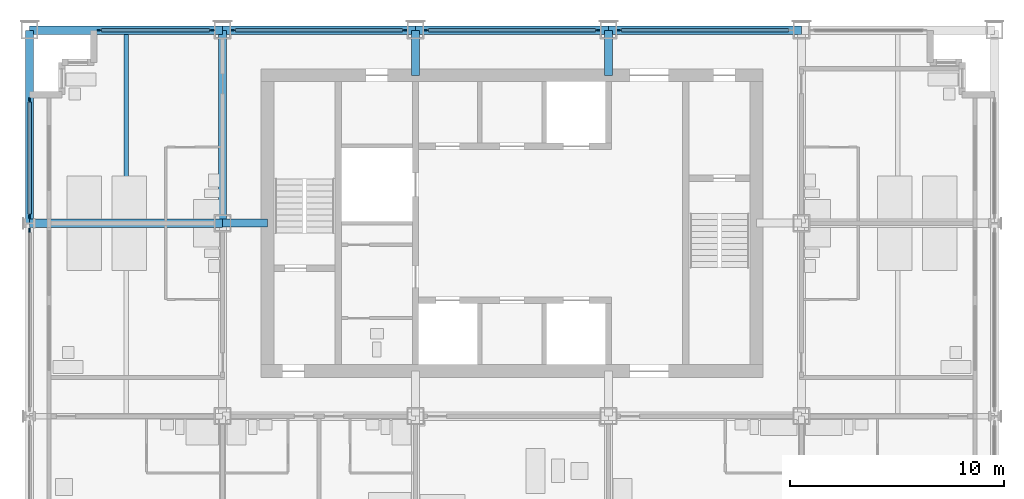
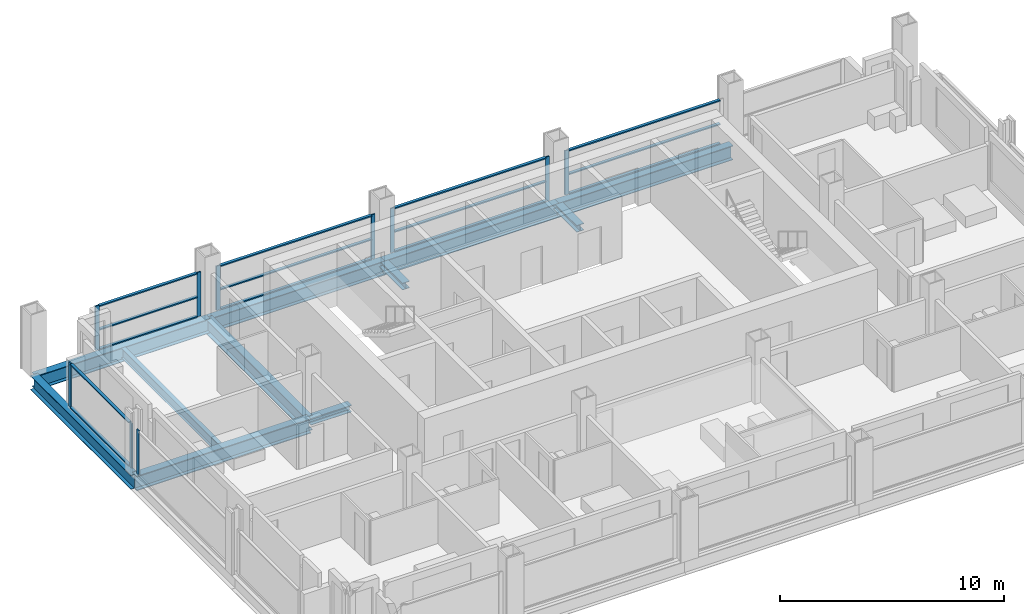
# One storey, part 4 of 13: 27 members, 8 beams, 6 elements without a shape of their own.
"""IFC4 building model written with IfcOpenShell, lengths in metres."""

from ifc_helpers import new_model, si_unit, direction, frame, origin, origin_2d, place, context, subcontext, project, spatial, rectangle, i_section, extrude, material, material_profile, profile_set, type_object, element, aggregate, save


model = new_model("IFC4")

# Units and contexts
model_context = context("Model", 3, precision=1e-05, world=origin(), true_north=direction((0.0, 1.0)))
body_context = subcontext(model_context, "Body", "Model", "MODEL_VIEW")
ifc_project = project(units=[si_unit("LENGTHUNIT", "METRE"), si_unit("AREAUNIT", "SQUARE_METRE"), si_unit("VOLUMEUNIT", "CUBIC_METRE"), si_unit("PLANEANGLEUNIT", "RADIAN"), si_unit("MASSUNIT", "GRAM", prefix="KILO")], contexts=[model_context])

# Site, building, storey
site_placement = place(None, origin())
site = spatial("IfcSite", under=ifc_project, at=site_placement, CompositionType="ELEMENT")
building_placement = place(site_placement, origin())
building = spatial("IfcBuilding", under=site, at=building_placement, Name="Loomwork Tower", CompositionType="ELEMENT")
storey_placement = place(building_placement, frame((0.0, 0.0, 191.0)))
storey = spatial("IfcBuildingStorey", under=building, at=storey_placement, Name="L52", CompositionType="ELEMENT", Elevation=191.0)

# Beams
ifc_material_1 = material(Name="Steel ASTM A992", Category="steel")
ifc_material_profile_1 = material_profile(ifc_material_1, i_section(OverallWidth=0.383544921875, OverallDepth=0.794921875, WebThickness=0.02099609375, FlangeThickness=0.0380859375, at=origin_2d()), Name="W30x235")
ifc_profile_set_1 = profile_set([ifc_material_profile_1], Name="Steel ASTM A992")
beam_type_1 = type_object("IfcBeamType", Name="CORE FLANK GIRDER W30x235", PredefinedType="BEAM", material=ifc_profile_set_1)
for number, where, z_axis, x_axis, name in (
    (1, (0.0, 18.0, -0.597412109375), (1.0, 0.0, 0.0), (0.0, 1.0, 0.0), "Core Flank Girder F/2-F/3 L52"),
    (2, (9.0, 18.0, -0.597412109375), (0.0, 1.0, 0.0), (-1.0, 0.0, 0.0), "Core Flank Girder F/3-G/3 L52"),
):
    element("IfcBeam", number, at=place(storey_placement, frame(where, z_axis=z_axis, x_axis=x_axis)), inside=storey, type_object=beam_type_1, Name=name, PredefinedType="BEAM", context=body_context, shape_type="SweptSolid", body=[
        extrude(i_section(OverallWidth=0.383544921875, OverallDepth=0.794921875, WebThickness=0.02099609375, FlangeThickness=0.0380859375, at=origin_2d()), origin(), (0.0, 0.0, 1.0), 9.0),
    ])

# Members
ifc_material_2 = material(Name="Steel ASTM A992", Category="steel")
ifc_material_profile_2 = material_profile(ifc_material_2, i_section(OverallWidth=0.373291015625, OverallDepth=0.373291015625, WebThickness=0.016357421875, FlangeThickness=0.026123046875, at=origin_2d()), Name="W14x132")
ifc_profile_set_2 = profile_set([ifc_material_profile_2], Name="Steel ASTM A992")
member_type_1 = type_object("IfcMemberType", Name="CORE LINK STRUT W14x132", PredefinedType="STRUT", material=ifc_profile_set_2)
for number, where, z_axis, x_axis, name in (
    (3, (27.0, 27.0, -0.38671875), (0.0, -1.0, 0.0), (1.0, 0.0, 0.0), "Core link strut G/5-27.000,24.900 L52"),
    (4, (18.0, 27.0, -0.38671875), (0.0, -1.0, 0.0), (1.0, 0.0, 0.0), "Core link strut G/4-18.000,24.900 L52"),
    (5, (9.0, 18.0, -0.38671875), (1.0, 0.0, 0.0), (0.0, 1.0, 0.0), "Core link strut F/3-11.100,18.000 L52"),
):
    element("IfcMember", number, at=place(storey_placement, frame(where, z_axis=z_axis, x_axis=x_axis)), inside=storey, type_object=member_type_1, Name=name, PredefinedType="STRUT", context=body_context, shape_type="SweptSolid", body=[
        extrude(i_section(OverallWidth=0.373291015625, OverallDepth=0.373291015625, WebThickness=0.016357421875, FlangeThickness=0.026123046875, at=origin_2d()), origin(), (0.0, 0.0, 1.0), 2.10009765625),
    ])

# Beam
ifc_material_3 = material(Name="Steel ASTM A992", Category="steel")
ifc_material_profile_3 = material_profile(ifc_material_3, i_section(OverallWidth=0.2109375, OverallDepth=0.53857421875, WebThickness=0.011474609375, FlangeThickness=0.018798828125, at=origin_2d()), Name="W21x73")
ifc_profile_set_3 = profile_set([ifc_material_profile_3], Name="Steel ASTM A992")
beam_type_2 = type_object("IfcBeamType", Name="FLOOR JOIST W21x73", PredefinedType="JOIST", material=ifc_profile_set_3)
beam_placement = place(storey_placement, frame((4.5, 18.19091796875, -0.46923828125), z_axis=(0.0, 1.0, 0.0), x_axis=(-1.0, 0.0, 0.0)))
element("IfcBeam", 6, at=beam_placement, inside=storey, type_object=beam_type_2, Name="Floor Joist 4.500,18.000-4.500,27.000 L52", PredefinedType="JOIST", context=body_context, shape_type="SweptSolid", body=[
    extrude(i_section(OverallWidth=0.2109375, OverallDepth=0.53857421875, WebThickness=0.011474609375, FlangeThickness=0.018798828125, at=origin_2d()), origin(), (0.0, 0.0, 1.0), 8.619140625),
])

# Curtain wall, member
ifc_material_4 = material(Name="Aluminium curtain wall frame", Category="aluminium")
curtain_wall_type_1 = type_object("IfcCurtainWallType", Name="Outer skin glazing hotel", PredefinedType="NOTDEFINED", material=ifc_material_4)
curtain_wall_1_placement = place(storey_placement, origin())
curtain_wall_1 = element("IfcCurtainWall", 7, at=curtain_wall_1_placement, inside=storey, type_object=curtain_wall_type_1, Name="Outer skin glazing hotel cw/W-9", PredefinedType="NOTDEFINED")
ifc_material_5 = material(Name="Aluminium curtain wall frame", Category="aluminium")
ifc_material_profile_4 = material_profile(ifc_material_5, rectangle(XDim=0.06494140625, YDim=0.199951171875, at=origin_2d()), Name="AL 65x200")
ifc_profile_set_4 = profile_set([ifc_material_profile_4], Name="Aluminium curtain wall frame")
member_type_2 = type_object("IfcMemberType", Name="Outer skin glazing hotel mullion", PredefinedType="MULLION", material=ifc_profile_set_4)
member_1_placement = place(storey_placement, frame((0.0, 17.67529296875, 0.0), z_axis=(0.0, 0.0, 1.0), x_axis=(1.0, 0.0, 0.0)))
member_1 = element("IfcMember", 8, at=member_1_placement, type_object=member_type_2, Name="CW1 mullion 1", PredefinedType="MULLION", context=body_context, shape_type="SweptSolid", body=[
    extrude(rectangle(XDim=0.06494140625, YDim=0.199951171875, at=origin_2d()), origin(), (0.0, 0.0, 1.0), 2.420166015625),
])
aggregate(curtain_wall_1, [member_1])

# Curtain wall, members
curtain_wall_2_placement = place(storey_placement, origin())
curtain_wall_2 = element("IfcCurtainWall", 9, at=curtain_wall_2_placement, inside=storey, type_object=curtain_wall_type_1, Name="Outer skin glazing hotel cw/W-18", PredefinedType="NOTDEFINED")
member_2_placement = place(storey_placement, frame((0.0, 23.75, 0.0), z_axis=(0.0, 0.0, 1.0), x_axis=(1.0, 0.0, 0.0)))
member_2 = element("IfcMember", 10, at=member_2_placement, type_object=member_type_2, Name="CW1 mullion 1", PredefinedType="MULLION", context=body_context, shape_type="SweptSolid", body=[
    extrude(rectangle(XDim=0.06494140625, YDim=0.199951171875, at=origin_2d()), origin(), (0.0, 0.0, 1.0), 2.420166015625),
])
member_3_placement = place(storey_placement, frame((0.0, 18.32470703125, 0.0), z_axis=(0.0, 0.0, 1.0), x_axis=(1.0, 0.0, 0.0)))
member_3 = element("IfcMember", 11, at=member_3_placement, type_object=member_type_2, Name="CW1 mullion 2", PredefinedType="MULLION", context=body_context, shape_type="SweptSolid", body=[
    extrude(rectangle(XDim=0.06494140625, YDim=0.199951171875, at=origin_2d()), origin(), (0.0, 0.0, 1.0), 2.420166015625),
])
ifc_material_6 = material(Name="Aluminium curtain wall frame", Category="aluminium")
ifc_material_profile_5 = material_profile(ifc_material_6, rectangle(XDim=0.14990234375, YDim=0.06494140625, at=origin_2d()), Name="AL 65x150")
ifc_profile_set_5 = profile_set([ifc_material_profile_5], Name="Aluminium curtain wall frame")
member_type_3 = type_object("IfcMemberType", Name="Outer skin glazing hotel transom", PredefinedType="USERDEFINED", material=ifc_profile_set_5)
member_4_placement = place(storey_placement, frame((0.0, 23.64990234375, 0.032470703125), z_axis=(0.0, -1.0, 0.0), x_axis=(1.0, 0.0, 0.0)))
member_4 = element("IfcMember", 12, at=member_4_placement, type_object=member_type_3, Name="CW1 transom 1.1", ObjectType="TRANSOM", PredefinedType="USERDEFINED", context=body_context, shape_type="SweptSolid", body=[
    extrude(rectangle(XDim=0.14990234375, YDim=0.06494140625, at=origin_2d()), origin(), (0.0, 0.0, 1.0), 5.22509765625),
])
member_5_placement = place(storey_placement, frame((0.0, 23.64990234375, 2.3876953125), z_axis=(0.0, -1.0, 0.0), x_axis=(1.0, 0.0, 0.0)))
member_5 = element("IfcMember", 13, at=member_5_placement, type_object=member_type_3, Name="CW1 transom 1.2", ObjectType="TRANSOM", PredefinedType="USERDEFINED", context=body_context, shape_type="SweptSolid", body=[
    extrude(rectangle(XDim=0.14990234375, YDim=0.06494140625, at=origin_2d()), origin(), (0.0, 0.0, 1.0), 5.22509765625),
])
aggregate(curtain_wall_2, [member_2, member_3, member_4, member_5])

# Beams
ifc_material_7 = material(Name="Steel ASTM A992", Category="steel")
ifc_material_profile_6 = material_profile(ifc_material_7, i_section(OverallWidth=0.381103515625, OverallDepth=0.77978515625, WebThickness=0.01806640625, FlangeThickness=0.0302734375, at=origin_2d()), Name="W30x191")
ifc_profile_set_6 = profile_set([ifc_material_profile_6], Name="Steel ASTM A992")
beam_type_3 = type_object("IfcBeamType", Name="SPANDREL GIRDER W30x191", PredefinedType="SPANDREL", material=ifc_profile_set_6)
for number, where, z_axis, x_axis, name in (
    (14, (0.0, 27.0, -0.58984375), (1.0, 0.0, 0.0), (0.0, 1.0, 0.0), "Spandrel Girder G/2-G/3 L52"),
    (15, (9.0, 27.0, -0.58984375), (1.0, 0.0, 0.0), (0.0, 1.0, 0.0), "Spandrel Girder G/3-G/4 L52"),
    (16, (18.0, 27.0, -0.58984375), (1.0, 0.0, 0.0), (0.0, 1.0, 0.0), "Spandrel Girder G/4-G/5 L52"),
    (17, (27.0, 27.0, -0.58984375), (1.0, 0.0, 0.0), (0.0, 1.0, 0.0), "Spandrel Girder G/5-G/6 L52"),
    (18, (0.0, 18.0, -0.58984375), (0.0, 1.0, 0.0), (-1.0, 0.0, 0.0), "Spandrel Girder F/2-G/2 L52"),
):
    element("IfcBeam", number, at=place(storey_placement, frame(where, z_axis=z_axis, x_axis=x_axis)), inside=storey, type_object=beam_type_3, Name=name, PredefinedType="SPANDREL", context=body_context, shape_type="SweptSolid", body=[
        extrude(i_section(OverallWidth=0.381103515625, OverallDepth=0.77978515625, WebThickness=0.01806640625, FlangeThickness=0.0302734375, at=origin_2d()), origin(), (0.0, 0.0, 1.0), 9.0),
    ])

# Curtain wall, members
ifc_material_8 = material(Name="Aluminium curtain wall frame", Category="aluminium")
curtain_wall_type_2 = type_object("IfcCurtainWallType", Name="Single skin glazing corridor", PredefinedType="NOTDEFINED", material=ifc_material_8)
curtain_wall_3_placement = place(storey_placement, origin())
curtain_wall_3 = element("IfcCurtainWall", 19, at=curtain_wall_3_placement, inside=storey, type_object=curtain_wall_type_2, Name="Single skin glazing corridor cw/N-0", PredefinedType="NOTDEFINED")
ifc_material_9 = material(Name="Aluminium curtain wall frame", Category="aluminium")
ifc_material_profile_7 = material_profile(ifc_material_9, rectangle(XDim=0.06494140625, YDim=0.199951171875, at=origin_2d()), Name="AL 65x200")
ifc_profile_set_7 = profile_set([ifc_material_profile_7], Name="Aluminium curtain wall frame")
member_type_4 = type_object("IfcMemberType", Name="Single skin glazing corridor mullion", PredefinedType="MULLION", material=ifc_profile_set_7)
member_6_placement = place(storey_placement, frame((8.5, 27.0, 0.0), z_axis=(0.0, 0.0, 1.0), x_axis=(0.0, -1.0, 0.0)))
member_6 = element("IfcMember", 20, at=member_6_placement, type_object=member_type_4, Name="CW3 mullion 1", PredefinedType="MULLION", context=body_context, shape_type="SweptSolid", body=[
    extrude(rectangle(XDim=0.06494140625, YDim=0.199951171875, at=origin_2d()), origin(), (0.0, 0.0, 1.0), 2.420166015625),
])
member_7_placement = place(storey_placement, frame((3.25, 27.0, 0.0), z_axis=(0.0, 0.0, 1.0), x_axis=(0.0, -1.0, 0.0)))
member_7 = element("IfcMember", 21, at=member_7_placement, type_object=member_type_4, Name="CW3 mullion 2", PredefinedType="MULLION", context=body_context, shape_type="SweptSolid", body=[
    extrude(rectangle(XDim=0.06494140625, YDim=0.199951171875, at=origin_2d()), origin(), (0.0, 0.0, 1.0), 2.420166015625),
])

curtain_wall_4_placement = place(storey_placement, origin())
curtain_wall_4 = element("IfcCurtainWall", 22, at=curtain_wall_4_placement, inside=storey, type_object=curtain_wall_type_2, Name="Single skin glazing corridor cw/N-9", PredefinedType="NOTDEFINED")
member_8_placement = place(storey_placement, frame((17.5, 27.0, 0.0), z_axis=(0.0, 0.0, 1.0), x_axis=(0.0, -1.0, 0.0)))
member_8 = element("IfcMember", 23, at=member_8_placement, type_object=member_type_4, Name="CW3 mullion 1", PredefinedType="MULLION", context=body_context, shape_type="SweptSolid", body=[
    extrude(rectangle(XDim=0.06494140625, YDim=0.199951171875, at=origin_2d()), origin(), (0.0, 0.0, 1.0), 2.420166015625),
])
member_9_placement = place(storey_placement, frame((9.5, 27.0, 0.0), z_axis=(0.0, 0.0, 1.0), x_axis=(0.0, -1.0, 0.0)))
member_9 = element("IfcMember", 24, at=member_9_placement, type_object=member_type_4, Name="CW3 mullion 2", PredefinedType="MULLION", context=body_context, shape_type="SweptSolid", body=[
    extrude(rectangle(XDim=0.06494140625, YDim=0.199951171875, at=origin_2d()), origin(), (0.0, 0.0, 1.0), 2.420166015625),
])

curtain_wall_5_placement = place(storey_placement, origin())
curtain_wall_5 = element("IfcCurtainWall", 25, at=curtain_wall_5_placement, inside=storey, type_object=curtain_wall_type_2, Name="Single skin glazing corridor cw/N-18", PredefinedType="NOTDEFINED")
member_10_placement = place(storey_placement, frame((26.5, 27.0, 0.0), z_axis=(0.0, 0.0, 1.0), x_axis=(0.0, -1.0, 0.0)))
member_10 = element("IfcMember", 26, at=member_10_placement, type_object=member_type_4, Name="CW3 mullion 1", PredefinedType="MULLION", context=body_context, shape_type="SweptSolid", body=[
    extrude(rectangle(XDim=0.06494140625, YDim=0.199951171875, at=origin_2d()), origin(), (0.0, 0.0, 1.0), 2.420166015625),
])
member_11_placement = place(storey_placement, frame((18.5, 27.0, 0.0), z_axis=(0.0, 0.0, 1.0), x_axis=(0.0, -1.0, 0.0)))
member_11 = element("IfcMember", 27, at=member_11_placement, type_object=member_type_4, Name="CW3 mullion 2", PredefinedType="MULLION", context=body_context, shape_type="SweptSolid", body=[
    extrude(rectangle(XDim=0.06494140625, YDim=0.199951171875, at=origin_2d()), origin(), (0.0, 0.0, 1.0), 2.420166015625),
])

# Curtain wall, member
curtain_wall_6_placement = place(storey_placement, origin())
curtain_wall_6 = element("IfcCurtainWall", 28, at=curtain_wall_6_placement, inside=storey, type_object=curtain_wall_type_2, Name="Single skin glazing corridor cw/N-27", PredefinedType="NOTDEFINED")
member_12_placement = place(storey_placement, frame((27.5, 27.0, 0.0), z_axis=(0.0, 0.0, 1.0), x_axis=(0.0, -1.0, 0.0)))
member_12 = element("IfcMember", 29, at=member_12_placement, type_object=member_type_4, Name="CW3 mullion 2", PredefinedType="MULLION", context=body_context, shape_type="SweptSolid", body=[
    extrude(rectangle(XDim=0.06494140625, YDim=0.199951171875, at=origin_2d()), origin(), (0.0, 0.0, 1.0), 2.420166015625),
])

# Member
ifc_material_10 = material(Name="Aluminium curtain wall frame", Category="aluminium")
ifc_material_profile_8 = material_profile(ifc_material_10, rectangle(XDim=0.14990234375, YDim=0.06494140625, at=origin_2d()), Name="AL 65x150")
ifc_profile_set_8 = profile_set([ifc_material_profile_8], Name="Aluminium curtain wall frame")
member_type_5 = type_object("IfcMemberType", Name="Single skin glazing corridor transom", PredefinedType="USERDEFINED", material=ifc_profile_set_8)
member_13_placement = place(storey_placement, frame((8.39990234375, 27.0, 0.032470703125), z_axis=(-1.0, 0.0, 0.0), x_axis=(0.0, -1.0, 0.0)))
member_13 = element("IfcMember", 30, at=member_13_placement, type_object=member_type_5, Name="CW3 transom 1.1", ObjectType="TRANSOM", PredefinedType="USERDEFINED", context=body_context, shape_type="SweptSolid", body=[
    extrude(rectangle(XDim=0.14990234375, YDim=0.06494140625, at=origin_2d()), origin(), (0.0, 0.0, 1.0), 5.0498046875),
])

member_14_placement = place(storey_placement, frame((8.39990234375, 27.0, 1.10009765625), z_axis=(-1.0, 0.0, 0.0), x_axis=(0.0, -1.0, 0.0)))
member_14 = element("IfcMember", 31, at=member_14_placement, type_object=member_type_5, Name="CW3 transom 1.2", ObjectType="TRANSOM", PredefinedType="USERDEFINED", context=body_context, shape_type="SweptSolid", body=[
    extrude(rectangle(XDim=0.14990234375, YDim=0.06494140625, at=origin_2d()), origin(), (0.0, 0.0, 1.0), 5.0498046875),
])

member_15_placement = place(storey_placement, frame((8.39990234375, 27.0, 2.3876953125), z_axis=(-1.0, 0.0, 0.0), x_axis=(0.0, -1.0, 0.0)))
member_15 = element("IfcMember", 32, at=member_15_placement, type_object=member_type_5, Name="CW3 transom 1.3", ObjectType="TRANSOM", PredefinedType="USERDEFINED", context=body_context, shape_type="SweptSolid", body=[
    extrude(rectangle(XDim=0.14990234375, YDim=0.06494140625, at=origin_2d()), origin(), (0.0, 0.0, 1.0), 5.0498046875),
])

aggregate(curtain_wall_3, [member_6, member_7, member_13, member_14, member_15])

member_16_placement = place(storey_placement, frame((17.39990234375, 27.0, 0.032470703125), z_axis=(-1.0, 0.0, 0.0), x_axis=(0.0, -1.0, 0.0)))
member_16 = element("IfcMember", 33, at=member_16_placement, type_object=member_type_5, Name="CW3 transom 1.1", ObjectType="TRANSOM", PredefinedType="USERDEFINED", context=body_context, shape_type="SweptSolid", body=[
    extrude(rectangle(XDim=0.14990234375, YDim=0.06494140625, at=origin_2d()), origin(), (0.0, 0.0, 1.0), 7.7998046875),
])

member_17_placement = place(storey_placement, frame((17.39990234375, 27.0, 1.10009765625), z_axis=(-1.0, 0.0, 0.0), x_axis=(0.0, -1.0, 0.0)))
member_17 = element("IfcMember", 34, at=member_17_placement, type_object=member_type_5, Name="CW3 transom 1.2", ObjectType="TRANSOM", PredefinedType="USERDEFINED", context=body_context, shape_type="SweptSolid", body=[
    extrude(rectangle(XDim=0.14990234375, YDim=0.06494140625, at=origin_2d()), origin(), (0.0, 0.0, 1.0), 7.7998046875),
])

member_18_placement = place(storey_placement, frame((17.39990234375, 27.0, 2.3876953125), z_axis=(-1.0, 0.0, 0.0), x_axis=(0.0, -1.0, 0.0)))
member_18 = element("IfcMember", 35, at=member_18_placement, type_object=member_type_5, Name="CW3 transom 1.3", ObjectType="TRANSOM", PredefinedType="USERDEFINED", context=body_context, shape_type="SweptSolid", body=[
    extrude(rectangle(XDim=0.14990234375, YDim=0.06494140625, at=origin_2d()), origin(), (0.0, 0.0, 1.0), 7.7998046875),
])

aggregate(curtain_wall_4, [member_8, member_9, member_16, member_17, member_18])

member_19_placement = place(storey_placement, frame((26.39990234375, 27.0, 0.032470703125), z_axis=(-1.0, 0.0, 0.0), x_axis=(0.0, -1.0, 0.0)))
member_19 = element("IfcMember", 36, at=member_19_placement, type_object=member_type_5, Name="CW3 transom 1.1", ObjectType="TRANSOM", PredefinedType="USERDEFINED", context=body_context, shape_type="SweptSolid", body=[
    extrude(rectangle(XDim=0.14990234375, YDim=0.06494140625, at=origin_2d()), origin(), (0.0, 0.0, 1.0), 7.7998046875),
])

member_20_placement = place(storey_placement, frame((26.39990234375, 27.0, 1.10009765625), z_axis=(-1.0, 0.0, 0.0), x_axis=(0.0, -1.0, 0.0)))
member_20 = element("IfcMember", 37, at=member_20_placement, type_object=member_type_5, Name="CW3 transom 1.2", ObjectType="TRANSOM", PredefinedType="USERDEFINED", context=body_context, shape_type="SweptSolid", body=[
    extrude(rectangle(XDim=0.14990234375, YDim=0.06494140625, at=origin_2d()), origin(), (0.0, 0.0, 1.0), 7.7998046875),
])

member_21_placement = place(storey_placement, frame((26.39990234375, 27.0, 2.3876953125), z_axis=(-1.0, 0.0, 0.0), x_axis=(0.0, -1.0, 0.0)))
member_21 = element("IfcMember", 38, at=member_21_placement, type_object=member_type_5, Name="CW3 transom 1.3", ObjectType="TRANSOM", PredefinedType="USERDEFINED", context=body_context, shape_type="SweptSolid", body=[
    extrude(rectangle(XDim=0.14990234375, YDim=0.06494140625, at=origin_2d()), origin(), (0.0, 0.0, 1.0), 7.7998046875),
])

aggregate(curtain_wall_5, [member_10, member_11, member_19, member_20, member_21])

member_22_placement = place(storey_placement, frame((35.39990234375, 27.0, 0.032470703125), z_axis=(-1.0, 0.0, 0.0), x_axis=(0.0, -1.0, 0.0)))
member_22 = element("IfcMember", 39, at=member_22_placement, type_object=member_type_5, Name="CW3 transom 1.1", ObjectType="TRANSOM", PredefinedType="USERDEFINED", context=body_context, shape_type="SweptSolid", body=[
    extrude(rectangle(XDim=0.14990234375, YDim=0.06494140625, at=origin_2d()), origin(), (0.0, 0.0, 1.0), 7.7998046875),
])

member_23_placement = place(storey_placement, frame((35.39990234375, 27.0, 1.10009765625), z_axis=(-1.0, 0.0, 0.0), x_axis=(0.0, -1.0, 0.0)))
member_23 = element("IfcMember", 40, at=member_23_placement, type_object=member_type_5, Name="CW3 transom 1.2", ObjectType="TRANSOM", PredefinedType="USERDEFINED", context=body_context, shape_type="SweptSolid", body=[
    extrude(rectangle(XDim=0.14990234375, YDim=0.06494140625, at=origin_2d()), origin(), (0.0, 0.0, 1.0), 7.7998046875),
])

member_24_placement = place(storey_placement, frame((35.39990234375, 27.0, 2.3876953125), z_axis=(-1.0, 0.0, 0.0), x_axis=(0.0, -1.0, 0.0)))
member_24 = element("IfcMember", 41, at=member_24_placement, type_object=member_type_5, Name="CW3 transom 1.3", ObjectType="TRANSOM", PredefinedType="USERDEFINED", context=body_context, shape_type="SweptSolid", body=[
    extrude(rectangle(XDim=0.14990234375, YDim=0.06494140625, at=origin_2d()), origin(), (0.0, 0.0, 1.0), 7.7998046875),
])

aggregate(curtain_wall_6, [member_12, member_22, member_23, member_24])

save(model, "model.ifc")
